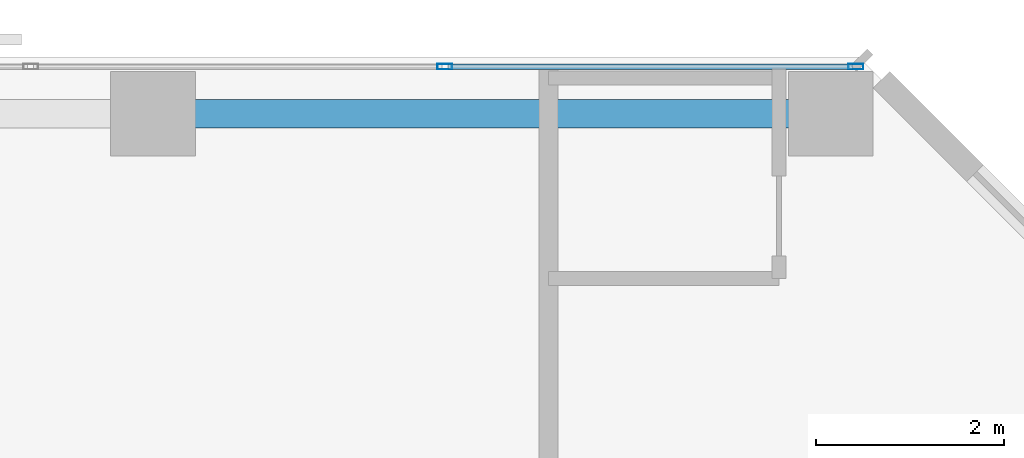
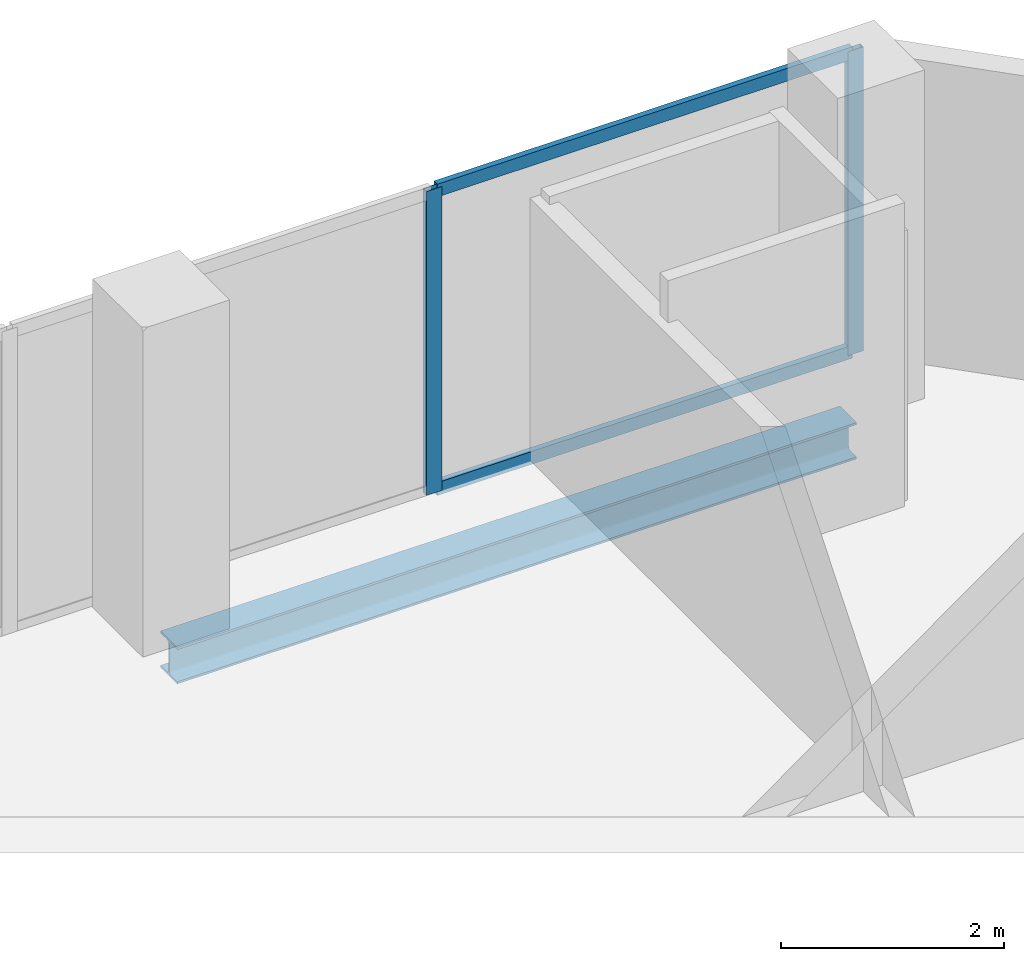
# One storey, part 25 of 33: 4 members, 1 beam, 1 element without a shape of its own.
"""IFC4 building model written with IfcOpenShell, lengths in metres."""

from ifc_helpers import new_model, si_unit, direction, frame, origin, origin_2d, place, context, subcontext, project, spatial, hollow_rectangle, i_section, extrude, material, layer, layer_set, material_profile, profile_set, type_object, element, aggregate, save


model = new_model("IFC4")

# Units and contexts
model_context = context("Model", 3, precision=1e-05, world=origin(), true_north=direction((0.0, 1.0)))
body_context = subcontext(model_context, "Body", "Model", "MODEL_VIEW")
ifc_project = project(units=[si_unit("LENGTHUNIT", "METRE"), si_unit("AREAUNIT", "SQUARE_METRE"), si_unit("VOLUMEUNIT", "CUBIC_METRE"), si_unit("PLANEANGLEUNIT", "RADIAN"), si_unit("MASSUNIT", "GRAM", prefix="KILO")], contexts=[model_context])

# Site, building, storey
site_placement = place(None, origin())
site = spatial("IfcSite", under=ifc_project, at=site_placement, CompositionType="ELEMENT")
building_placement = place(site_placement, origin())
building = spatial("IfcBuilding", under=site, at=building_placement, Name="Catumbela Crestline Tower", CompositionType="ELEMENT")
storey_placement = place(building_placement, frame((0.0, 0.0, 100.8)))
storey = spatial("IfcBuildingStorey", under=building, at=storey_placement, Name="L25", CompositionType="ELEMENT", Elevation=100.8)

# Curtain wall, members
ifc_material_1 = material(Name="Aluminium alloy AW-6060-T66", Category="aluminium")
ifc_layer = layer(ifc_material_1, 0.18, Name="Aluminium alloy AW-6060-T66")
ifc_layer_set = layer_set([ifc_layer], Name="Aluminium alloy AW-6060-T66")
curtain_wall_type = type_object("IfcCurtainWallType", Name="CWU-Z2", PredefinedType="USERDEFINED", material=ifc_layer_set)
curtain_wall_placement = place(storey_placement, origin())
curtain_wall = element("IfcCurtainWall", 1, at=curtain_wall_placement, inside=storey, type_object=curtain_wall_type, Name="L25 Unitised Curtain Wall CW-L25-E7S1", ObjectType="UNITISED", PredefinedType="USERDEFINED")
ifc_material_profile_1 = material_profile(ifc_material_1, hollow_rectangle(XDim=0.06, YDim=0.16, WallThickness=0.004, at=origin_2d()), Name="ALU 160x60x4")
ifc_profile_set_1 = profile_set([ifc_material_profile_1], Name="Aluminium alloy AW-6060-T66")
member_type_1 = type_object("IfcMemberType", Name="MUL-160X60", PredefinedType="MULLION", material=ifc_profile_set_1)
member_1_placement = place(storey_placement, frame((47.4675, 47.9, 0.0), z_axis=(0.0, 0.0, 1.0), x_axis=(0.0, -1.0, 0.0)))
member_1 = element("IfcMember", 2, at=member_1_placement, type_object=member_type_1, Name="CWU-Z2 mullion 1", PredefinedType="MULLION", context=body_context, shape_type="SweptSolid", body=[
    extrude(hollow_rectangle(XDim=0.06, YDim=0.16, WallThickness=0.004, at=origin_2d()), origin(), (0.0, 0.0, 1.0), 3.33),
])
member_2_placement = place(storey_placement, frame((43.1, 47.9, 0.0), z_axis=(0.0, 0.0, 1.0), x_axis=(0.0, -1.0, 0.0)))
member_2 = element("IfcMember", 3, at=member_2_placement, type_object=member_type_1, Name="CWU-Z2 mullion 2", PredefinedType="MULLION", context=body_context, shape_type="SweptSolid", body=[
    extrude(hollow_rectangle(XDim=0.06, YDim=0.16, WallThickness=0.004, at=origin_2d()), origin(), (0.0, 0.0, 1.0), 3.33),
])

# Beam
ifc_material_2 = material(Name="Structural steel S355J2", Category="steel")
ifc_material_profile_2 = material_profile(ifc_material_2, i_section(OverallWidth=0.3, OverallDepth=0.4, WebThickness=0.0135, FlangeThickness=0.024, FilletRadius=0.027, at=origin_2d()), Name="HEB 400")
ifc_profile_set_2 = profile_set([ifc_material_profile_2], Name="Structural steel S355J2")
beam_type = type_object("IfcBeamType", Name="BS-HEB400", PredefinedType="SPANDREL", material=ifc_profile_set_2)
beam_placement = place(storey_placement, frame((40.08, 47.4, -0.46), z_axis=(1.0, 0.0, 0.0), x_axis=(0.0, 1.0, 0.0)))
element("IfcBeam", 4, at=beam_placement, inside=storey, type_object=beam_type, Name="L25 Spandrel SP-L25-NF21", PredefinedType="SPANDREL", context=body_context, shape_type="SweptSolid", body=[
    extrude(i_section(OverallWidth=0.3, OverallDepth=0.4, WebThickness=0.0135, FlangeThickness=0.024, FilletRadius=0.027, at=origin_2d()), origin(), (0.0, 0.0, 1.0), 7.04),
])

# Member
ifc_material_profile_3 = material_profile(ifc_material_1, hollow_rectangle(XDim=0.06, YDim=0.14, WallThickness=0.004, at=origin_2d()), Name="ALU 140x60x4")
ifc_profile_set_3 = profile_set([ifc_material_profile_3], Name="Aluminium alloy AW-6060-T66")
member_type_2 = type_object("IfcMemberType", Name="TRN-140X60", PredefinedType="USERDEFINED", material=ifc_profile_set_3)
member_3_placement = place(storey_placement, frame((47.435, 47.9, 0.03), z_axis=(-1.0, 0.0, 0.0), x_axis=(0.0, -1.0, 0.0)))
member_3 = element("IfcMember", 5, at=member_3_placement, type_object=member_type_2, Name="CWU-Z2 transom 1.1", ObjectType="TRANSOM", PredefinedType="USERDEFINED", context=body_context, shape_type="SweptSolid", body=[
    extrude(hollow_rectangle(XDim=0.06, YDim=0.14, WallThickness=0.004, at=origin_2d()), origin(), (0.0, 0.0, 1.0), 4.3025),
])

member_4_placement = place(storey_placement, frame((47.435, 47.9, 3.3), z_axis=(-1.0, 0.0, 0.0), x_axis=(0.0, -1.0, 0.0)))
member_4 = element("IfcMember", 6, at=member_4_placement, type_object=member_type_2, Name="CWU-Z2 transom 1.2", ObjectType="TRANSOM", PredefinedType="USERDEFINED", context=body_context, shape_type="SweptSolid", body=[
    extrude(hollow_rectangle(XDim=0.06, YDim=0.14, WallThickness=0.004, at=origin_2d()), origin(), (0.0, 0.0, 1.0), 4.3025),
])

aggregate(curtain_wall, [member_1, member_2, member_3, member_4])

save(model, "model.ifc")
